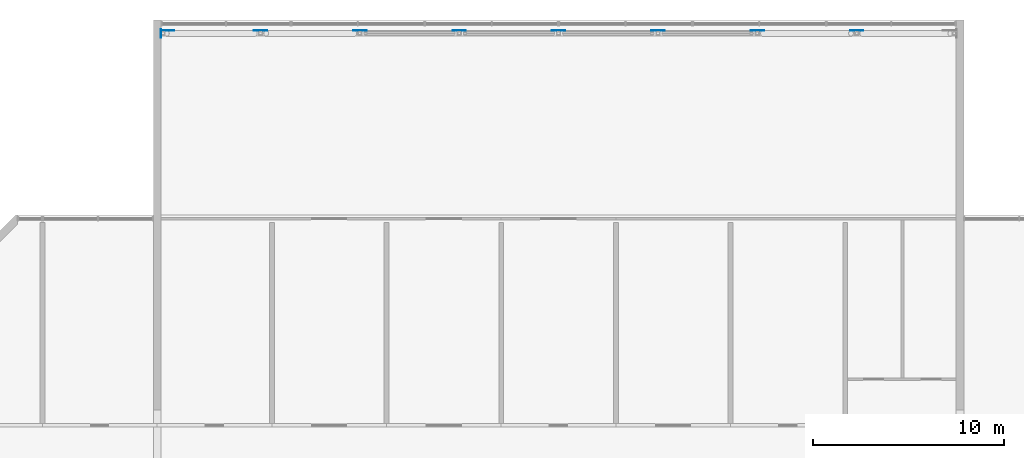
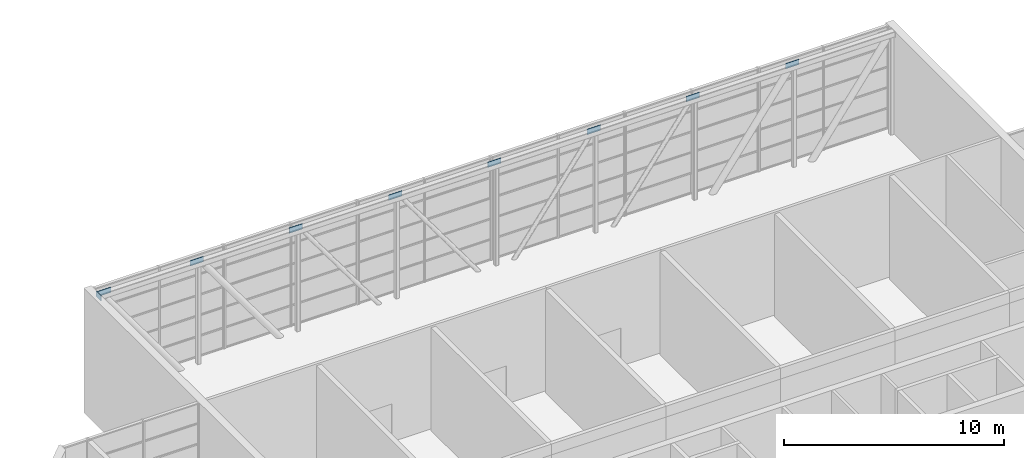
# One storey, part 8 of 17: 9 plates.
"""IFC4 building model written with IfcOpenShell, lengths in metres."""

from ifc_helpers import new_model, si_unit, direction, frame, origin, origin_2d, place, context, subcontext, project, spatial, rectangle, extrude, source, transform, mapped, material, layer, layer_set, type_object, element, save


model = new_model("IFC4")

# Units and contexts
model_context = context("Model", 3, precision=1e-05, world=origin(), true_north=direction((0.0, 1.0)))
body_context = subcontext(model_context, "Body", "Model", "MODEL_VIEW")
ifc_project = project(units=[si_unit("LENGTHUNIT", "METRE"), si_unit("AREAUNIT", "SQUARE_METRE"), si_unit("VOLUMEUNIT", "CUBIC_METRE"), si_unit("PLANEANGLEUNIT", "RADIAN"), si_unit("MASSUNIT", "GRAM", prefix="KILO")], contexts=[model_context])

# Site, building, storey
site_placement = place(None, origin())
site = spatial("IfcSite", under=ifc_project, at=site_placement, CompositionType="ELEMENT")
building_placement = place(site_placement, origin())
building = spatial("IfcBuilding", under=site, at=building_placement, Name="Poui Terraces", CompositionType="ELEMENT")
storey_placement = place(building_placement, frame((0.0, 0.0, 261.0)))
storey = spatial("IfcBuildingStorey", under=building, at=storey_placement, Name="L73", CompositionType="ELEMENT", Elevation=261.0)

# Plates
ifc_material = material(Name="Steel Grade 350 MPa", Category="steel")
ifc_layer_1 = layer(ifc_material, 0.02490234375)
ifc_layer_set_1 = layer_set([ifc_layer_1], Name="Steel Grade 350 MPa")
plate_type_1 = type_object("IfcPlateType", Name="CAST-IN PLATE 450x25 UPPER", PredefinedType="SHEET", material=ifc_layer_set_1)
shared_shape_1 = source(origin(), body_context, "Body", "SweptSolid", [
    extrude(rectangle(XDim=0.02490234375, YDim=0.449951171875, at=origin_2d()), origin(), (0.0, 0.0, 1.0), 0.300048828125),
])
plate_placement = place(storey_placement, frame((30.1875, 50.89990234375, 5.39990234375), z_axis=(0.0, 0.0, 1.0), x_axis=(1.0, 0.0, 0.0)))
element("IfcPlate", 1, at=plate_placement, inside=storey, type_object=plate_type_1, Name="CAST-IN PLATE", PredefinedType="SHEET", context=body_context, shape_type="MappedRepresentation", body=[
    mapped(shared_shape_1, transform((0.0, 0.0, 0.0))),
])
ifc_layer_2 = layer(ifc_material, 0.02001953125)
ifc_layer_set_2 = layer_set([ifc_layer_2], Name="Steel Grade 350 MPa")
plate_type_2 = type_object("IfcPlateType", Name="TRUSS NODE PLATE 700x20 TOP CHORD", PredefinedType="SHEET", material=ifc_layer_set_2)
shared_shape_2 = source(origin(), body_context, "Body", "SweptSolid", [
    extrude(rectangle(XDim=0.699951171875, YDim=0.02001953125, at=origin_2d()), origin(), (0.0, 0.0, 1.0), 0.300048828125),
])
for number, where, z_axis, x_axis, name in (
    (2, (30.550048828125, 51.06005859375, 5.39990234375), (0.0, 0.0, 1.0), (1.0, 0.0, 0.0), "TRUSS NODE PLATE"),
    (3, (35.39990234375, 51.06005859375, 5.39990234375), (0.0, 0.0, 1.0), (1.0, 0.0, 0.0), "TRUSS NODE PLATE"),
    (4, (40.60009765625, 51.06005859375, 5.39990234375), (0.0, 0.0, 1.0), (1.0, 0.0, 0.0), "TRUSS NODE PLATE"),
    (5, (45.800048828125, 51.06005859375, 5.39990234375), (0.0, 0.0, 1.0), (1.0, 0.0, 0.0), "TRUSS NODE PLATE"),
    (6, (51.0, 51.06005859375, 5.39990234375), (0.0, 0.0, 1.0), (1.0, 0.0, 0.0), "TRUSS NODE PLATE"),
    (7, (56.199951171875, 51.06005859375, 5.39990234375), (0.0, 0.0, 1.0), (1.0, 0.0, 0.0), "TRUSS NODE PLATE"),
    (8, (61.39990234375, 51.06005859375, 5.39990234375), (0.0, 0.0, 1.0), (1.0, 0.0, 0.0), "TRUSS NODE PLATE"),
    (9, (66.60009765625, 51.06005859375, 5.39990234375), (0.0, 0.0, 1.0), (1.0, 0.0, 0.0), "TRUSS NODE PLATE"),
):
    element("IfcPlate", number, at=place(storey_placement, frame(where, z_axis=z_axis, x_axis=x_axis)), inside=storey, type_object=plate_type_2, Name=name, PredefinedType="SHEET", context=body_context, shape_type="MappedRepresentation", body=[
        mapped(shared_shape_2, transform((0.0, 0.0, 0.0))),
    ])

save(model, "model.ifc")
